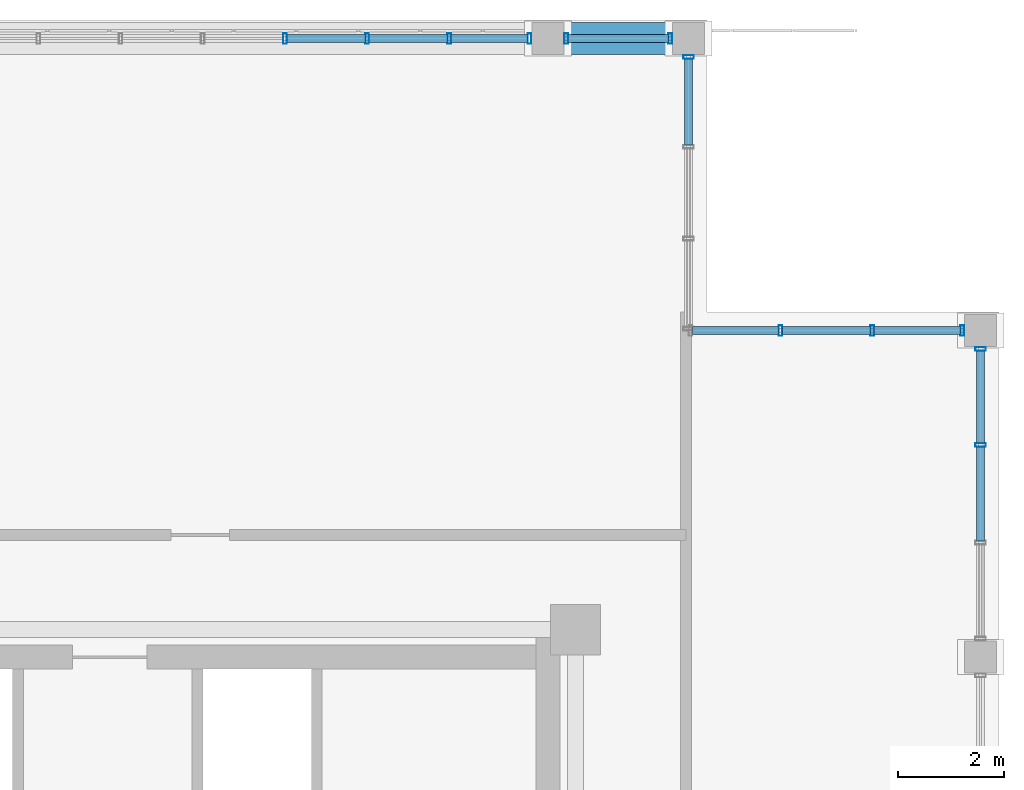
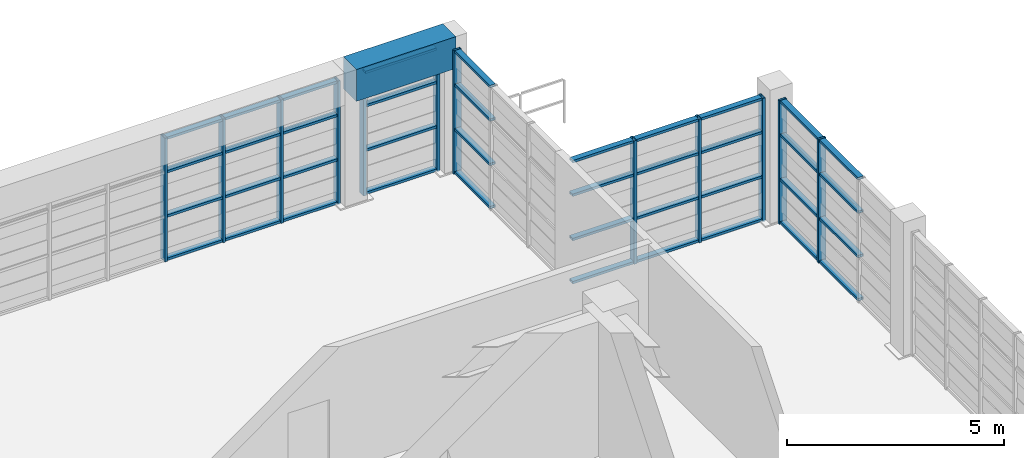
# One storey, part 15 of 24: 52 members, 1 beam, 5 elements without a shape of their own.
"""IFC4 building model written with IfcOpenShell, lengths in metres."""

from ifc_helpers import new_model, si_unit, direction, frame, origin, origin_2d, place, context, subcontext, project, spatial, rectangle, hollow_rectangle, extrude, source, transform, mapped, material, layer, layer_set, material_profile, profile_set, type_object, element, aggregate, save


model = new_model("IFC4")

# Units and contexts
model_context = context("Model", 3, precision=1e-05, world=origin(), true_north=direction((0.0, 1.0)))
body_context = subcontext(model_context, "Body", "Model", "MODEL_VIEW")
ifc_project = project(units=[si_unit("LENGTHUNIT", "METRE"), si_unit("AREAUNIT", "SQUARE_METRE"), si_unit("VOLUMEUNIT", "CUBIC_METRE"), si_unit("PLANEANGLEUNIT", "RADIAN"), si_unit("MASSUNIT", "GRAM", prefix="KILO")], contexts=[model_context])

# Site, building, storey
site_placement = place(None, origin())
site = spatial("IfcSite", under=ifc_project, at=site_placement, CompositionType="ELEMENT")
building_placement = place(site_placement, origin())
building = spatial("IfcBuilding", under=site, at=building_placement, Name="Saelheon Loggia Tower", CompositionType="ELEMENT")
storey_placement = place(building_placement, frame((0.0, 0.0, 252.199951171875)))
storey = spatial("IfcBuildingStorey", under=building, at=storey_placement, Name="CR1", CompositionType="ELEMENT", Elevation=252.199951171875)

# Beam
ifc_material_1 = material(Name="Precast Concrete C45/55", Category="concrete")
ifc_material_profile_1 = material_profile(ifc_material_1, rectangle(XDim=0.60009765625, YDim=0.89990234375, at=origin_2d()), Name="RC-600x900")
ifc_profile_set_1 = profile_set([ifc_material_profile_1], Name="Precast Concrete C45/55")
beam_type = type_object("IfcBeamType", Name="CrownFrame_Ring_RC600x900", PredefinedType="BEAM", material=ifc_profile_set_1)
shared_shape_1 = source(origin(), body_context, "Body", "SweptSolid", [
    extrude(rectangle(XDim=0.60009765625, YDim=0.89990234375, at=origin_2d()), origin(), (0.0, 0.0, 1.0), 2.64990234375),
])
beam_placement = place(storey_placement, frame((47.14990234375, 47.64990234375, 3.35009765625), z_axis=(-1.0, 0.0, 0.0), x_axis=(0.0, -1.0, 0.0)))
element("IfcBeam", 1, at=beam_placement, inside=storey, type_object=beam_type, Name="CR1 CROWN FRAME Sill Beam 09", PredefinedType="BEAM", context=body_context, shape_type="MappedRepresentation", body=[
    mapped(shared_shape_1, transform((0.0, 0.0, 0.0), scale=1.0)),
])

# Curtain wall, members
ifc_material_2 = material(Name="Bronze-Anodised Aluminium and Fritted Ceramic Screen", Category="aluminium")
ifc_layer = layer(ifc_material_2, 0.219970703125)
ifc_layer_set = layer_set([ifc_layer], Name="Bronze-Anodised Aluminium and Fritted Ceramic Screen")
curtain_wall_type = type_object("IfcCurtainWallType", Name="CW_CrownScreen", PredefinedType="NOTDEFINED", material=ifc_layer_set)
curtain_wall_1_placement = place(storey_placement, origin())
curtain_wall_1 = element("IfcCurtainWall", 2, at=curtain_wall_1_placement, inside=storey, type_object=curtain_wall_type, Name="CR1 Crown Screen Curtain Wall 3-3", PredefinedType="NOTDEFINED")
ifc_material_3 = material(Name="Bronze-Anodised Aluminium 6063-T6", Category="aluminium")
ifc_material_profile_2 = material_profile(ifc_material_3, hollow_rectangle(XDim=0.070068359375, YDim=0.199951171875, WallThickness=0.0048828125, at=origin_2d()), Name="RHS-200x70x5")
ifc_profile_set_2 = profile_set([ifc_material_profile_2], Name="Bronze-Anodised Aluminium 6063-T6")
member_type_1 = type_object("IfcMemberType", Name="CW_CrownScreen_Mullion", PredefinedType="MULLION", material=ifc_profile_set_2)
shared_shape_2 = source(origin(), body_context, "Body", "SweptSolid", [
    extrude(hollow_rectangle(XDim=0.070068359375, YDim=0.199951171875, WallThickness=0.0048828125, at=origin_2d()), origin(), (0.0, 0.0, 1.0), 3.47998046875),
])
member_1_placement = place(storey_placement, frame((52.64990234375, 39.99658203125, 0.0), z_axis=(0.0, 0.0, 1.0), x_axis=(0.0, 1.0, 0.0)))
member_1 = element("IfcMember", 3, at=member_1_placement, type_object=member_type_1, Name="CW6 mullion 3", PredefinedType="MULLION", context=body_context, shape_type="MappedRepresentation", body=[
    mapped(shared_shape_2, transform((0.0, 0.0, 0.0), scale=1.0)),
])
member_2_placement = place(storey_placement, frame((52.64990234375, 41.804931640625, 0.0), z_axis=(0.0, 0.0, 1.0), x_axis=(0.0, 1.0, 0.0)))
member_2 = element("IfcMember", 4, at=member_2_placement, type_object=member_type_1, Name="CW6 mullion 4", PredefinedType="MULLION", context=body_context, shape_type="MappedRepresentation", body=[
    mapped(shared_shape_2, transform((0.0, 0.0, 0.0), scale=1.0)),
])

curtain_wall_2_placement = place(storey_placement, origin())
curtain_wall_2 = element("IfcCurtainWall", 5, at=curtain_wall_2_placement, inside=storey, type_object=curtain_wall_type, Name="CR1 Crown Screen Curtain Wall 4-1", PredefinedType="NOTDEFINED")
member_3_placement = place(storey_placement, frame((52.304931640625, 42.14990234375, 0.0), z_axis=(0.0, 0.0, 1.0), x_axis=(-1.0, 0.0, 0.0)))
member_3 = element("IfcMember", 6, at=member_3_placement, type_object=member_type_1, Name="CW6 mullion 1", PredefinedType="MULLION", context=body_context, shape_type="MappedRepresentation", body=[
    mapped(shared_shape_2, transform((0.0, 0.0, 0.0), scale=1.0)),
])
member_4_placement = place(storey_placement, frame((50.610107421875, 42.14990234375, 0.0), z_axis=(0.0, 0.0, 1.0), x_axis=(-1.0, 0.0, 0.0)))
member_4 = element("IfcMember", 7, at=member_4_placement, type_object=member_type_1, Name="CW6 mullion 2", PredefinedType="MULLION", context=body_context, shape_type="MappedRepresentation", body=[
    mapped(shared_shape_2, transform((0.0, 0.0, 0.0), scale=1.0)),
])
member_5_placement = place(storey_placement, frame((48.8798828125, 42.14990234375, 0.0), z_axis=(0.0, 0.0, 1.0), x_axis=(-1.0, 0.0, 0.0)))
member_5 = element("IfcMember", 8, at=member_5_placement, type_object=member_type_1, Name="CW6 mullion 3", PredefinedType="MULLION", context=body_context, shape_type="MappedRepresentation", body=[
    mapped(shared_shape_2, transform((0.0, 0.0, 0.0), scale=1.0)),
])

# Curtain wall, member
curtain_wall_3_placement = place(storey_placement, origin())
curtain_wall_3 = element("IfcCurtainWall", 9, at=curtain_wall_3_placement, inside=storey, type_object=curtain_wall_type, Name="CR1 Crown Screen Curtain Wall 5-1", PredefinedType="NOTDEFINED")
member_6_placement = place(storey_placement, frame((47.14990234375, 47.304931640625, 0.0), z_axis=(0.0, 0.0, 1.0), x_axis=(0.0, 1.0, 0.0)))
member_6 = element("IfcMember", 10, at=member_6_placement, type_object=member_type_1, Name="CW6 mullion 4", PredefinedType="MULLION", context=body_context, shape_type="MappedRepresentation", body=[
    mapped(shared_shape_2, transform((0.0, 0.0, 0.0), scale=1.0)),
])

# Curtain wall, members
curtain_wall_4_placement = place(storey_placement, origin())
curtain_wall_4 = element("IfcCurtainWall", 11, at=curtain_wall_4_placement, inside=storey, type_object=curtain_wall_type, Name="CR1 Crown Screen Curtain Wall 6-1", PredefinedType="NOTDEFINED")
member_7_placement = place(storey_placement, frame((46.804931640625, 47.64990234375, 0.0), z_axis=(0.0, 0.0, 1.0), x_axis=(-1.0, 0.0, 0.0)))
member_7 = element("IfcMember", 12, at=member_7_placement, type_object=member_type_1, Name="CW6 mullion 1", PredefinedType="MULLION", context=body_context, shape_type="MappedRepresentation", body=[
    mapped(shared_shape_2, transform((0.0, 0.0, 0.0), scale=1.0)),
])
member_8_placement = place(storey_placement, frame((44.844970703125, 47.64990234375, 0.0), z_axis=(0.0, 0.0, 1.0), x_axis=(-1.0, 0.0, 0.0)))
member_8 = element("IfcMember", 13, at=member_8_placement, type_object=member_type_1, Name="CW6 mullion 2", PredefinedType="MULLION", context=body_context, shape_type="MappedRepresentation", body=[
    mapped(shared_shape_2, transform((0.0, 0.0, 0.0), scale=1.0)),
])

curtain_wall_5_placement = place(storey_placement, origin())
curtain_wall_5 = element("IfcCurtainWall", 14, at=curtain_wall_5_placement, inside=storey, type_object=curtain_wall_type, Name="CR1 Crown Screen Curtain Wall 6-2", PredefinedType="NOTDEFINED")
member_9_placement = place(storey_placement, frame((44.155029296875, 47.64990234375, 0.0), z_axis=(0.0, 0.0, 1.0), x_axis=(-1.0, 0.0, 0.0)))
member_9 = element("IfcMember", 15, at=member_9_placement, type_object=member_type_1, Name="CW6 mullion 1", PredefinedType="MULLION", context=body_context, shape_type="MappedRepresentation", body=[
    mapped(shared_shape_2, transform((0.0, 0.0, 0.0), scale=1.0)),
])
member_10_placement = place(storey_placement, frame((42.642578125, 47.64990234375, 0.0), z_axis=(0.0, 0.0, 1.0), x_axis=(-1.0, 0.0, 0.0)))
member_10 = element("IfcMember", 16, at=member_10_placement, type_object=member_type_1, Name="CW6 mullion 2", PredefinedType="MULLION", context=body_context, shape_type="MappedRepresentation", body=[
    mapped(shared_shape_2, transform((0.0, 0.0, 0.0), scale=1.0)),
])
member_11_placement = place(storey_placement, frame((41.094970703125, 47.64990234375, 0.0), z_axis=(0.0, 0.0, 1.0), x_axis=(-1.0, 0.0, 0.0)))
member_11 = element("IfcMember", 17, at=member_11_placement, type_object=member_type_1, Name="CW6 mullion 3", PredefinedType="MULLION", context=body_context, shape_type="MappedRepresentation", body=[
    mapped(shared_shape_2, transform((0.0, 0.0, 0.0), scale=1.0)),
])
member_12_placement = place(storey_placement, frame((39.547607421875, 47.64990234375, 0.0), z_axis=(0.0, 0.0, 1.0), x_axis=(-1.0, 0.0, 0.0)))
member_12 = element("IfcMember", 18, at=member_12_placement, type_object=member_type_1, Name="CW6 mullion 4", PredefinedType="MULLION", context=body_context, shape_type="MappedRepresentation", body=[
    mapped(shared_shape_2, transform((0.0, 0.0, 0.0), scale=1.0)),
])

# Member
ifc_material_profile_3 = material_profile(ifc_material_3, hollow_rectangle(XDim=0.070068359375, YDim=0.14990234375, WallThickness=0.0048828125, at=origin_2d()), Name="RHS-150x70x5")
ifc_profile_set_3 = profile_set([ifc_material_profile_3], Name="Bronze-Anodised Aluminium 6063-T6")
member_type_2 = type_object("IfcMemberType", Name="CW_CrownScreen_Transom", PredefinedType="USERDEFINED", material=ifc_profile_set_3)
shared_shape_3 = source(origin(), body_context, "Body", "SweptSolid", [
    extrude(hollow_rectangle(XDim=0.070068359375, YDim=0.14990234375, WallThickness=0.0048828125, at=origin_2d()), origin(), (0.0, 0.0, 1.0), 1.89013671875),
])
member_13_placement = place(storey_placement, frame((46.77001953125, 47.64990234375, 0.03515625), z_axis=(-1.0, 0.0, 0.0), x_axis=(0.0, 0.0, 1.0)))
member_13 = element("IfcMember", 19, at=member_13_placement, type_object=member_type_2, Name="CW6 transom 1.1", ObjectType="TRANSOM", PredefinedType="USERDEFINED", context=body_context, shape_type="MappedRepresentation", body=[
    mapped(shared_shape_3, transform((0.0, 0.0, 0.0), scale=1.0)),
])

member_14_placement = place(storey_placement, frame((46.77001953125, 47.64990234375, 1.25), z_axis=(-1.0, 0.0, 0.0), x_axis=(0.0, 0.0, 1.0)))
member_14 = element("IfcMember", 20, at=member_14_placement, type_object=member_type_2, Name="CW6 transom 1.2", ObjectType="TRANSOM", PredefinedType="USERDEFINED", context=body_context, shape_type="MappedRepresentation", body=[
    mapped(shared_shape_3, transform((0.0, 0.0, 0.0), scale=1.0)),
])

member_15_placement = place(storey_placement, frame((46.77001953125, 47.64990234375, 2.5), z_axis=(-1.0, 0.0, 0.0), x_axis=(0.0, 0.0, 1.0)))
member_15 = element("IfcMember", 21, at=member_15_placement, type_object=member_type_2, Name="CW6 transom 1.3", ObjectType="TRANSOM", PredefinedType="USERDEFINED", context=body_context, shape_type="MappedRepresentation", body=[
    mapped(shared_shape_3, transform((0.0, 0.0, 0.0), scale=1.0)),
])

member_16_placement = place(storey_placement, frame((46.77001953125, 47.64990234375, 3.445068359375), z_axis=(-1.0, 0.0, 0.0), x_axis=(0.0, 0.0, 1.0)))
member_16 = element("IfcMember", 22, at=member_16_placement, type_object=member_type_2, Name="CW6 transom 1.4", ObjectType="TRANSOM", PredefinedType="USERDEFINED", context=body_context, shape_type="MappedRepresentation", body=[
    mapped(shared_shape_3, transform((0.0, 0.0, 0.0), scale=1.0)),
])

aggregate(curtain_wall_4, [member_7, member_8, member_13, member_14, member_15, member_16])

shared_shape_4 = source(origin(), body_context, "Body", "SweptSolid", [
    extrude(hollow_rectangle(XDim=0.070068359375, YDim=0.14990234375, WallThickness=0.0048828125, at=origin_2d()), origin(), (0.0, 0.0, 1.0), 1.442626953125),
])
member_17_placement = place(storey_placement, frame((44.1201171875, 47.64990234375, 0.03515625), z_axis=(-1.0, 0.0, 0.0), x_axis=(0.0, 0.0, 1.0)))
member_17 = element("IfcMember", 23, at=member_17_placement, type_object=member_type_2, Name="CW6 transom 1.1", ObjectType="TRANSOM", PredefinedType="USERDEFINED", context=body_context, shape_type="MappedRepresentation", body=[
    mapped(shared_shape_4, transform((0.0, 0.0, 0.0), scale=1.0)),
])

member_18_placement = place(storey_placement, frame((44.1201171875, 47.64990234375, 1.25), z_axis=(-1.0, 0.0, 0.0), x_axis=(0.0, 0.0, 1.0)))
member_18 = element("IfcMember", 24, at=member_18_placement, type_object=member_type_2, Name="CW6 transom 1.2", ObjectType="TRANSOM", PredefinedType="USERDEFINED", context=body_context, shape_type="MappedRepresentation", body=[
    mapped(shared_shape_4, transform((0.0, 0.0, 0.0), scale=1.0)),
])

member_19_placement = place(storey_placement, frame((44.1201171875, 47.64990234375, 2.5), z_axis=(-1.0, 0.0, 0.0), x_axis=(0.0, 0.0, 1.0)))
member_19 = element("IfcMember", 25, at=member_19_placement, type_object=member_type_2, Name="CW6 transom 1.3", ObjectType="TRANSOM", PredefinedType="USERDEFINED", context=body_context, shape_type="MappedRepresentation", body=[
    mapped(shared_shape_4, transform((0.0, 0.0, 0.0), scale=1.0)),
])

member_20_placement = place(storey_placement, frame((44.1201171875, 47.64990234375, 3.445068359375), z_axis=(-1.0, 0.0, 0.0), x_axis=(0.0, 0.0, 1.0)))
member_20 = element("IfcMember", 26, at=member_20_placement, type_object=member_type_2, Name="CW6 transom 1.4", ObjectType="TRANSOM", PredefinedType="USERDEFINED", context=body_context, shape_type="MappedRepresentation", body=[
    mapped(shared_shape_4, transform((0.0, 0.0, 0.0), scale=1.0)),
])

shared_shape_5 = source(origin(), body_context, "Body", "SweptSolid", [
    extrude(hollow_rectangle(XDim=0.070068359375, YDim=0.14990234375, WallThickness=0.0048828125, at=origin_2d()), origin(), (0.0, 0.0, 1.0), 1.4775390625),
])
member_21_placement = place(storey_placement, frame((42.607421875, 47.64990234375, 0.03515625), z_axis=(-1.0, 0.0, 0.0), x_axis=(0.0, 0.0, 1.0)))
member_21 = element("IfcMember", 27, at=member_21_placement, type_object=member_type_2, Name="CW6 transom 2.1", ObjectType="TRANSOM", PredefinedType="USERDEFINED", context=body_context, shape_type="MappedRepresentation", body=[
    mapped(shared_shape_5, transform((0.0, 0.0, 0.0), scale=1.0)),
])

member_22_placement = place(storey_placement, frame((42.607421875, 47.64990234375, 1.25), z_axis=(-1.0, 0.0, 0.0), x_axis=(0.0, 0.0, 1.0)))
member_22 = element("IfcMember", 28, at=member_22_placement, type_object=member_type_2, Name="CW6 transom 2.2", ObjectType="TRANSOM", PredefinedType="USERDEFINED", context=body_context, shape_type="MappedRepresentation", body=[
    mapped(shared_shape_5, transform((0.0, 0.0, 0.0), scale=1.0)),
])

member_23_placement = place(storey_placement, frame((42.607421875, 47.64990234375, 2.5), z_axis=(-1.0, 0.0, 0.0), x_axis=(0.0, 0.0, 1.0)))
member_23 = element("IfcMember", 29, at=member_23_placement, type_object=member_type_2, Name="CW6 transom 2.3", ObjectType="TRANSOM", PredefinedType="USERDEFINED", context=body_context, shape_type="MappedRepresentation", body=[
    mapped(shared_shape_5, transform((0.0, 0.0, 0.0), scale=1.0)),
])

member_24_placement = place(storey_placement, frame((42.607421875, 47.64990234375, 3.445068359375), z_axis=(-1.0, 0.0, 0.0), x_axis=(0.0, 0.0, 1.0)))
member_24 = element("IfcMember", 30, at=member_24_placement, type_object=member_type_2, Name="CW6 transom 2.4", ObjectType="TRANSOM", PredefinedType="USERDEFINED", context=body_context, shape_type="MappedRepresentation", body=[
    mapped(shared_shape_5, transform((0.0, 0.0, 0.0), scale=1.0)),
])

member_25_placement = place(storey_placement, frame((41.06005859375, 47.64990234375, 0.03515625), z_axis=(-1.0, 0.0, 0.0), x_axis=(0.0, 0.0, 1.0)))
member_25 = element("IfcMember", 31, at=member_25_placement, type_object=member_type_2, Name="CW6 transom 3.1", ObjectType="TRANSOM", PredefinedType="USERDEFINED", context=body_context, shape_type="MappedRepresentation", body=[
    mapped(shared_shape_5, transform((0.0, 0.0, 0.0), scale=1.0)),
])

member_26_placement = place(storey_placement, frame((41.06005859375, 47.64990234375, 1.25), z_axis=(-1.0, 0.0, 0.0), x_axis=(0.0, 0.0, 1.0)))
member_26 = element("IfcMember", 32, at=member_26_placement, type_object=member_type_2, Name="CW6 transom 3.2", ObjectType="TRANSOM", PredefinedType="USERDEFINED", context=body_context, shape_type="MappedRepresentation", body=[
    mapped(shared_shape_5, transform((0.0, 0.0, 0.0), scale=1.0)),
])

member_27_placement = place(storey_placement, frame((41.06005859375, 47.64990234375, 2.5), z_axis=(-1.0, 0.0, 0.0), x_axis=(0.0, 0.0, 1.0)))
member_27 = element("IfcMember", 33, at=member_27_placement, type_object=member_type_2, Name="CW6 transom 3.3", ObjectType="TRANSOM", PredefinedType="USERDEFINED", context=body_context, shape_type="MappedRepresentation", body=[
    mapped(shared_shape_5, transform((0.0, 0.0, 0.0), scale=1.0)),
])

member_28_placement = place(storey_placement, frame((41.06005859375, 47.64990234375, 3.445068359375), z_axis=(-1.0, 0.0, 0.0), x_axis=(0.0, 0.0, 1.0)))
member_28 = element("IfcMember", 34, at=member_28_placement, type_object=member_type_2, Name="CW6 transom 3.4", ObjectType="TRANSOM", PredefinedType="USERDEFINED", context=body_context, shape_type="MappedRepresentation", body=[
    mapped(shared_shape_5, transform((0.0, 0.0, 0.0), scale=1.0)),
])

aggregate(curtain_wall_5, [member_9, member_10, member_11, member_12, member_17, member_18, member_19, member_20, member_21, member_22, member_23, member_24, member_25, member_26, member_27, member_28])

shared_shape_6 = source(origin(), body_context, "Body", "SweptSolid", [
    extrude(hollow_rectangle(XDim=0.070068359375, YDim=0.14990234375, WallThickness=0.0048828125, at=origin_2d()), origin(), (0.0, 0.0, 1.0), 1.625),
])
member_29_placement = place(storey_placement, frame((52.27001953125, 42.14990234375, 0.03515625), z_axis=(-1.0, 0.0, 0.0), x_axis=(0.0, 0.0, 1.0)))
member_29 = element("IfcMember", 35, at=member_29_placement, type_object=member_type_2, Name="CW6 transom 1.1", ObjectType="TRANSOM", PredefinedType="USERDEFINED", context=body_context, shape_type="MappedRepresentation", body=[
    mapped(shared_shape_6, transform((0.0, 0.0, 0.0), scale=1.0)),
])

member_30_placement = place(storey_placement, frame((52.27001953125, 42.14990234375, 1.25), z_axis=(-1.0, 0.0, 0.0), x_axis=(0.0, 0.0, 1.0)))
member_30 = element("IfcMember", 36, at=member_30_placement, type_object=member_type_2, Name="CW6 transom 1.2", ObjectType="TRANSOM", PredefinedType="USERDEFINED", context=body_context, shape_type="MappedRepresentation", body=[
    mapped(shared_shape_6, transform((0.0, 0.0, 0.0), scale=1.0)),
])

member_31_placement = place(storey_placement, frame((52.27001953125, 42.14990234375, 2.5), z_axis=(-1.0, 0.0, 0.0), x_axis=(0.0, 0.0, 1.0)))
member_31 = element("IfcMember", 37, at=member_31_placement, type_object=member_type_2, Name="CW6 transom 1.3", ObjectType="TRANSOM", PredefinedType="USERDEFINED", context=body_context, shape_type="MappedRepresentation", body=[
    mapped(shared_shape_6, transform((0.0, 0.0, 0.0), scale=1.0)),
])

member_32_placement = place(storey_placement, frame((52.27001953125, 42.14990234375, 3.445068359375), z_axis=(-1.0, 0.0, 0.0), x_axis=(0.0, 0.0, 1.0)))
member_32 = element("IfcMember", 38, at=member_32_placement, type_object=member_type_2, Name="CW6 transom 1.4", ObjectType="TRANSOM", PredefinedType="USERDEFINED", context=body_context, shape_type="MappedRepresentation", body=[
    mapped(shared_shape_6, transform((0.0, 0.0, 0.0), scale=1.0)),
])

member_33_placement = place(storey_placement, frame((48.844970703125, 42.14990234375, 0.03515625), z_axis=(-1.0, 0.0, 0.0), x_axis=(0.0, 0.0, 1.0)))
member_33 = element("IfcMember", 39, at=member_33_placement, type_object=member_type_2, Name="CW6 transom 3.1", ObjectType="TRANSOM", PredefinedType="USERDEFINED", context=body_context, shape_type="MappedRepresentation", body=[
    mapped(shared_shape_6, transform((0.0, 0.0, 0.0), scale=1.0)),
])

member_34_placement = place(storey_placement, frame((48.844970703125, 42.14990234375, 1.25), z_axis=(-1.0, 0.0, 0.0), x_axis=(0.0, 0.0, 1.0)))
member_34 = element("IfcMember", 40, at=member_34_placement, type_object=member_type_2, Name="CW6 transom 3.2", ObjectType="TRANSOM", PredefinedType="USERDEFINED", context=body_context, shape_type="MappedRepresentation", body=[
    mapped(shared_shape_6, transform((0.0, 0.0, 0.0), scale=1.0)),
])

member_35_placement = place(storey_placement, frame((48.844970703125, 42.14990234375, 2.5), z_axis=(-1.0, 0.0, 0.0), x_axis=(0.0, 0.0, 1.0)))
member_35 = element("IfcMember", 41, at=member_35_placement, type_object=member_type_2, Name="CW6 transom 3.3", ObjectType="TRANSOM", PredefinedType="USERDEFINED", context=body_context, shape_type="MappedRepresentation", body=[
    mapped(shared_shape_6, transform((0.0, 0.0, 0.0), scale=1.0)),
])

member_36_placement = place(storey_placement, frame((48.844970703125, 42.14990234375, 3.445068359375), z_axis=(-1.0, 0.0, 0.0), x_axis=(0.0, 0.0, 1.0)))
member_36 = element("IfcMember", 42, at=member_36_placement, type_object=member_type_2, Name="CW6 transom 3.4", ObjectType="TRANSOM", PredefinedType="USERDEFINED", context=body_context, shape_type="MappedRepresentation", body=[
    mapped(shared_shape_6, transform((0.0, 0.0, 0.0), scale=1.0)),
])

member_37_placement = place(storey_placement, frame((47.14990234375, 45.64501953125, 0.03515625), z_axis=(0.0, 1.0, 0.0), x_axis=(0.0, 0.0, 1.0)))
member_37 = element("IfcMember", 43, at=member_37_placement, type_object=member_type_2, Name="CW6 transom 3.1", ObjectType="TRANSOM", PredefinedType="USERDEFINED", context=body_context, shape_type="MappedRepresentation", body=[
    mapped(shared_shape_6, transform((0.0, 0.0, 0.0), scale=1.0)),
])

member_38_placement = place(storey_placement, frame((47.14990234375, 45.64501953125, 1.25), z_axis=(0.0, 1.0, 0.0), x_axis=(0.0, 0.0, 1.0)))
member_38 = element("IfcMember", 44, at=member_38_placement, type_object=member_type_2, Name="CW6 transom 3.2", ObjectType="TRANSOM", PredefinedType="USERDEFINED", context=body_context, shape_type="MappedRepresentation", body=[
    mapped(shared_shape_6, transform((0.0, 0.0, 0.0), scale=1.0)),
])

member_39_placement = place(storey_placement, frame((47.14990234375, 45.64501953125, 2.5), z_axis=(0.0, 1.0, 0.0), x_axis=(0.0, 0.0, 1.0)))
member_39 = element("IfcMember", 45, at=member_39_placement, type_object=member_type_2, Name="CW6 transom 3.3", ObjectType="TRANSOM", PredefinedType="USERDEFINED", context=body_context, shape_type="MappedRepresentation", body=[
    mapped(shared_shape_6, transform((0.0, 0.0, 0.0), scale=1.0)),
])

member_40_placement = place(storey_placement, frame((47.14990234375, 45.64501953125, 3.445068359375), z_axis=(0.0, 1.0, 0.0), x_axis=(0.0, 0.0, 1.0)))
member_40 = element("IfcMember", 46, at=member_40_placement, type_object=member_type_2, Name="CW6 transom 3.4", ObjectType="TRANSOM", PredefinedType="USERDEFINED", context=body_context, shape_type="MappedRepresentation", body=[
    mapped(shared_shape_6, transform((0.0, 0.0, 0.0), scale=1.0)),
])

aggregate(curtain_wall_3, [member_6, member_37, member_38, member_39, member_40])

shared_shape_7 = source(origin(), body_context, "Body", "SweptSolid", [
    extrude(hollow_rectangle(XDim=0.070068359375, YDim=0.14990234375, WallThickness=0.0048828125, at=origin_2d()), origin(), (0.0, 0.0, 1.0), 1.659912109375),
])
member_41_placement = place(storey_placement, frame((50.574951171875, 42.14990234375, 0.03515625), z_axis=(-1.0, 0.0, 0.0), x_axis=(0.0, 0.0, 1.0)))
member_41 = element("IfcMember", 47, at=member_41_placement, type_object=member_type_2, Name="CW6 transom 2.1", ObjectType="TRANSOM", PredefinedType="USERDEFINED", context=body_context, shape_type="MappedRepresentation", body=[
    mapped(shared_shape_7, transform((0.0, 0.0, 0.0), scale=1.0)),
])

member_42_placement = place(storey_placement, frame((50.574951171875, 42.14990234375, 1.25), z_axis=(-1.0, 0.0, 0.0), x_axis=(0.0, 0.0, 1.0)))
member_42 = element("IfcMember", 48, at=member_42_placement, type_object=member_type_2, Name="CW6 transom 2.2", ObjectType="TRANSOM", PredefinedType="USERDEFINED", context=body_context, shape_type="MappedRepresentation", body=[
    mapped(shared_shape_7, transform((0.0, 0.0, 0.0), scale=1.0)),
])

member_43_placement = place(storey_placement, frame((50.574951171875, 42.14990234375, 2.5), z_axis=(-1.0, 0.0, 0.0), x_axis=(0.0, 0.0, 1.0)))
member_43 = element("IfcMember", 49, at=member_43_placement, type_object=member_type_2, Name="CW6 transom 2.3", ObjectType="TRANSOM", PredefinedType="USERDEFINED", context=body_context, shape_type="MappedRepresentation", body=[
    mapped(shared_shape_7, transform((0.0, 0.0, 0.0), scale=1.0)),
])

member_44_placement = place(storey_placement, frame((50.574951171875, 42.14990234375, 3.445068359375), z_axis=(-1.0, 0.0, 0.0), x_axis=(0.0, 0.0, 1.0)))
member_44 = element("IfcMember", 50, at=member_44_placement, type_object=member_type_2, Name="CW6 transom 2.4", ObjectType="TRANSOM", PredefinedType="USERDEFINED", context=body_context, shape_type="MappedRepresentation", body=[
    mapped(shared_shape_7, transform((0.0, 0.0, 0.0), scale=1.0)),
])

aggregate(curtain_wall_2, [member_3, member_4, member_5, member_29, member_30, member_31, member_32, member_41, member_42, member_43, member_44, member_33, member_34, member_35, member_36])

shared_shape_8 = source(origin(), body_context, "Body", "SweptSolid", [
    extrude(hollow_rectangle(XDim=0.070068359375, YDim=0.14990234375, WallThickness=0.0048828125, at=origin_2d()), origin(), (0.0, 0.0, 1.0), 1.73828125),
])
member_45_placement = place(storey_placement, frame((52.64990234375, 40.03173828125, 0.03515625), z_axis=(0.0, 1.0, 0.0), x_axis=(0.0, 0.0, 1.0)))
member_45 = element("IfcMember", 51, at=member_45_placement, type_object=member_type_2, Name="CW6 transom 3.1", ObjectType="TRANSOM", PredefinedType="USERDEFINED", context=body_context, shape_type="MappedRepresentation", body=[
    mapped(shared_shape_8, transform((0.0, 0.0, 0.0), scale=1.0)),
])

member_46_placement = place(storey_placement, frame((52.64990234375, 40.03173828125, 1.25), z_axis=(0.0, 1.0, 0.0), x_axis=(0.0, 0.0, 1.0)))
member_46 = element("IfcMember", 52, at=member_46_placement, type_object=member_type_2, Name="CW6 transom 3.2", ObjectType="TRANSOM", PredefinedType="USERDEFINED", context=body_context, shape_type="MappedRepresentation", body=[
    mapped(shared_shape_8, transform((0.0, 0.0, 0.0), scale=1.0)),
])

member_47_placement = place(storey_placement, frame((52.64990234375, 40.03173828125, 2.5), z_axis=(0.0, 1.0, 0.0), x_axis=(0.0, 0.0, 1.0)))
member_47 = element("IfcMember", 53, at=member_47_placement, type_object=member_type_2, Name="CW6 transom 3.3", ObjectType="TRANSOM", PredefinedType="USERDEFINED", context=body_context, shape_type="MappedRepresentation", body=[
    mapped(shared_shape_8, transform((0.0, 0.0, 0.0), scale=1.0)),
])

member_48_placement = place(storey_placement, frame((52.64990234375, 40.03173828125, 3.445068359375), z_axis=(0.0, 1.0, 0.0), x_axis=(0.0, 0.0, 1.0)))
member_48 = element("IfcMember", 54, at=member_48_placement, type_object=member_type_2, Name="CW6 transom 3.4", ObjectType="TRANSOM", PredefinedType="USERDEFINED", context=body_context, shape_type="MappedRepresentation", body=[
    mapped(shared_shape_8, transform((0.0, 0.0, 0.0), scale=1.0)),
])

shared_shape_9 = source(origin(), body_context, "Body", "SweptSolid", [
    extrude(hollow_rectangle(XDim=0.070068359375, YDim=0.14990234375, WallThickness=0.0048828125, at=origin_2d()), origin(), (0.0, 0.0, 1.0), 1.7734375),
])
member_49_placement = place(storey_placement, frame((52.64990234375, 38.188232421875, 0.03515625), z_axis=(0.0, 1.0, 0.0), x_axis=(0.0, 0.0, 1.0)))
member_49 = element("IfcMember", 55, at=member_49_placement, type_object=member_type_2, Name="CW6 transom 2.1", ObjectType="TRANSOM", PredefinedType="USERDEFINED", context=body_context, shape_type="MappedRepresentation", body=[
    mapped(shared_shape_9, transform((0.0, 0.0, 0.0), scale=1.0)),
])

member_50_placement = place(storey_placement, frame((52.64990234375, 38.188232421875, 1.25), z_axis=(0.0, 1.0, 0.0), x_axis=(0.0, 0.0, 1.0)))
member_50 = element("IfcMember", 56, at=member_50_placement, type_object=member_type_2, Name="CW6 transom 2.2", ObjectType="TRANSOM", PredefinedType="USERDEFINED", context=body_context, shape_type="MappedRepresentation", body=[
    mapped(shared_shape_9, transform((0.0, 0.0, 0.0), scale=1.0)),
])

member_51_placement = place(storey_placement, frame((52.64990234375, 38.188232421875, 2.5), z_axis=(0.0, 1.0, 0.0), x_axis=(0.0, 0.0, 1.0)))
member_51 = element("IfcMember", 57, at=member_51_placement, type_object=member_type_2, Name="CW6 transom 2.3", ObjectType="TRANSOM", PredefinedType="USERDEFINED", context=body_context, shape_type="MappedRepresentation", body=[
    mapped(shared_shape_9, transform((0.0, 0.0, 0.0), scale=1.0)),
])

member_52_placement = place(storey_placement, frame((52.64990234375, 38.188232421875, 3.445068359375), z_axis=(0.0, 1.0, 0.0), x_axis=(0.0, 0.0, 1.0)))
member_52 = element("IfcMember", 58, at=member_52_placement, type_object=member_type_2, Name="CW6 transom 2.4", ObjectType="TRANSOM", PredefinedType="USERDEFINED", context=body_context, shape_type="MappedRepresentation", body=[
    mapped(shared_shape_9, transform((0.0, 0.0, 0.0), scale=1.0)),
])

aggregate(curtain_wall_1, [member_1, member_2, member_49, member_50, member_51, member_52, member_45, member_46, member_47, member_48])

save(model, "model.ifc")
